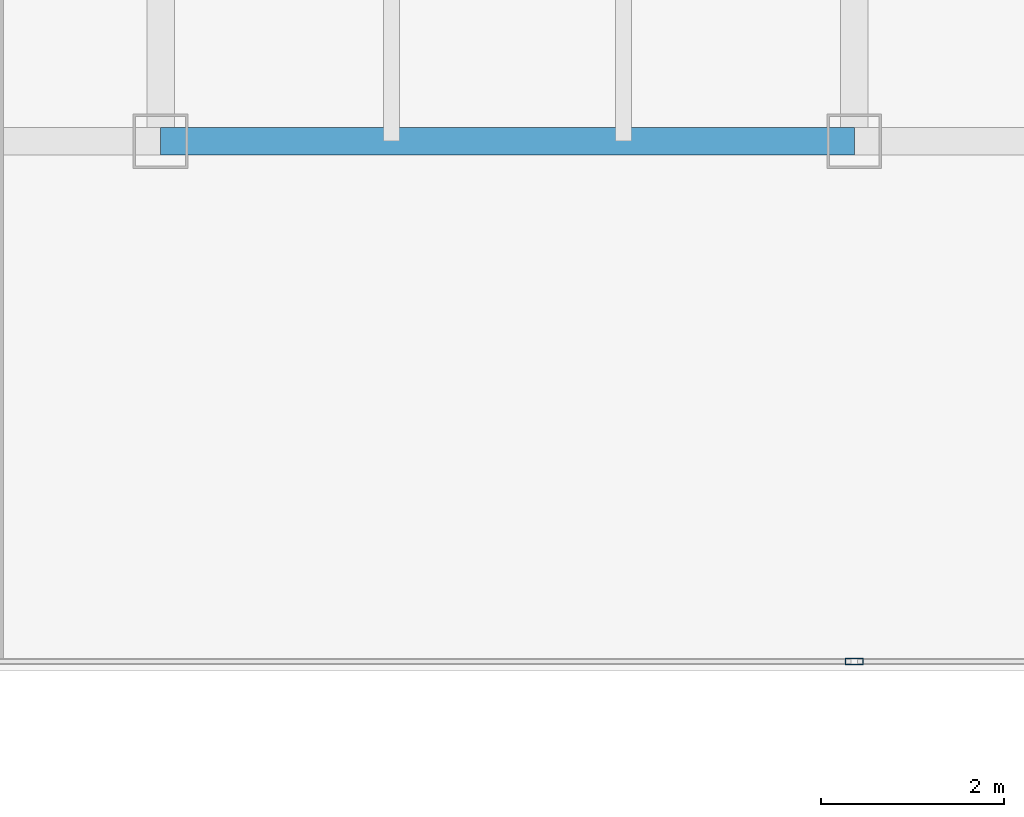
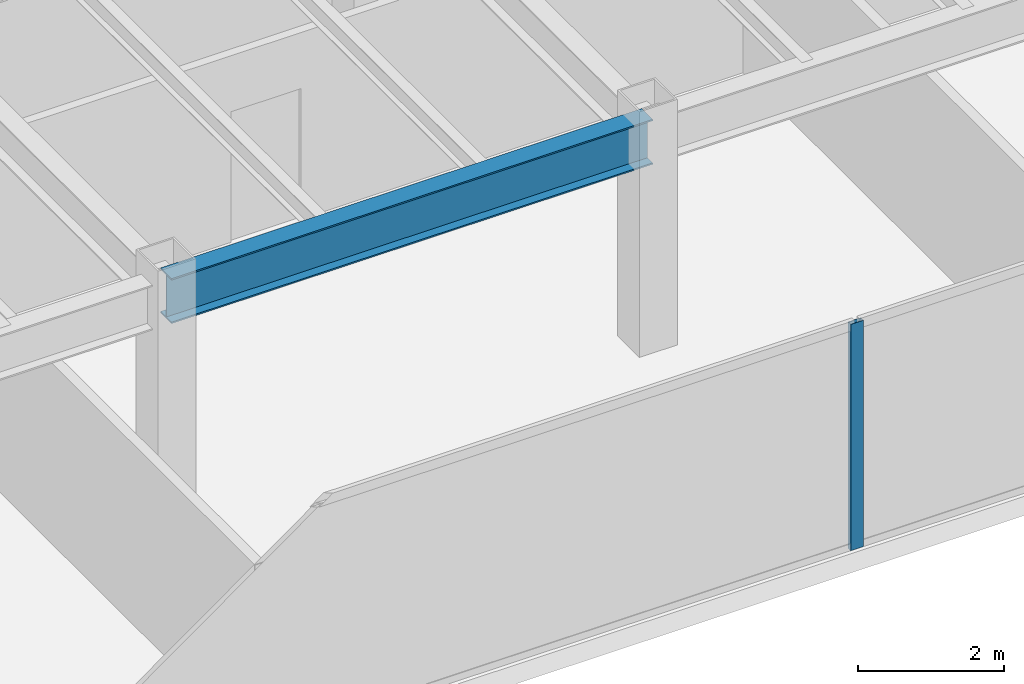
# One storey, part 8 of 35: 1 beam, 1 member, 1 element without a shape of its own.
"""IFC4 building model written with IfcOpenShell, lengths in metres."""

from ifc_helpers import new_model, si_unit, direction, frame, origin, origin_2d, place, context, subcontext, project, spatial, hollow_rectangle, i_section, extrude, source, transform, mapped, material, layer, layer_set, material_profile, profile_set, type_object, type_shapes, element, aggregate, save


model = new_model("IFC4")

# Units and contexts
model_context = context("Model", 3, precision=1e-05, world=origin(), true_north=direction((0.0, 1.0)))
body_context = subcontext(model_context, "Body", "Model", "MODEL_VIEW")
ifc_project = project(units=[si_unit("LENGTHUNIT", "METRE"), si_unit("AREAUNIT", "SQUARE_METRE"), si_unit("VOLUMEUNIT", "CUBIC_METRE"), si_unit("PLANEANGLEUNIT", "RADIAN"), si_unit("MASSUNIT", "GRAM", prefix="KILO")], contexts=[model_context])

# Site, building, storey
site_placement = place(None, origin())
site = spatial("IfcSite", under=ifc_project, at=site_placement, CompositionType="ELEMENT")
building_placement = place(site_placement, origin())
building = spatial("IfcBuilding", under=site, at=building_placement, Name="Haelvirn Gate Laboratories", CompositionType="ELEMENT")
storey_placement = place(building_placement, frame((0.0, 0.0, 82.60009765625)))
storey = spatial("IfcBuildingStorey", under=building, at=storey_placement, Name="L20", CompositionType="ELEMENT", Elevation=82.60009765625)

# Beam
ifc_material_1 = material(Name="Steel SM355", Category="steel")
ifc_material_profile_1 = material_profile(ifc_material_1, i_section(OverallWidth=0.300048828125, OverallDepth=0.75, WebThickness=0.013916015625, FlangeThickness=0.02392578125, at=origin_2d()), Name="H-750x300x14x24")
ifc_profile_set_1 = profile_set([ifc_material_profile_1], Name="Steel SM355")
beam_type = type_object("IfcBeamType", Name="BM-G-750", PredefinedType="BEAM", material=ifc_profile_set_1)
shared_shape_1 = source(origin(), body_context, "Body", "SweptSolid", [
    extrude(i_section(OverallWidth=0.300048828125, OverallDepth=0.75, WebThickness=0.013916015625, FlangeThickness=0.02392578125, at=origin_2d()), origin(), (0.0, 0.0, 1.0), 7.599853515625),
])
type_shapes(beam_type, [shared_shape_1])
beam_placement = place(storey_placement, frame((29.800048828125, 7.0, 3.40478515625), z_axis=(1.0, 0.0, 0.0), x_axis=(0.0, 1.0, 0.0)))
element("IfcBeam", 1, at=beam_placement, inside=storey, type_object=beam_type, Name="L20 Primary Girder Y7.0 (29.8-37.4)", PredefinedType="BEAM", context=body_context, shape_type="MappedRepresentation", body=[
    mapped(shared_shape_1, transform((0.0, 0.0, 0.0), scale=1.0)),
])

# Curtain wall, member
ifc_material_2 = material(Name="Anodised bronze unitised aluminium & triple low-E glass", Category="aluminium")
ifc_layer = layer(ifc_material_2, 0.18408203125, Name="CW-SYS-2")
ifc_layer_set = layer_set([ifc_layer], Name="Anodised bronze unitised aluminium & triple low-E glass")
curtain_wall_type = type_object("IfcCurtainWallType", Name="CW-SYS-2", PredefinedType="NOTDEFINED", material=ifc_layer_set)
curtain_wall_placement = place(storey_placement, origin())
curtain_wall = element("IfcCurtainWall", 2, at=curtain_wall_placement, inside=storey, type_object=curtain_wall_type, Name="L20 Unitised Curtain Wall CW-L20-P0-E02-1", PredefinedType="NOTDEFINED")
ifc_material_3 = material(Name="Extruded aluminium 6063-T6 (anodised bronze)", Category="aluminium")
ifc_material_profile_2 = material_profile(ifc_material_3, hollow_rectangle(XDim=0.074951171875, YDim=0.199951171875, WallThickness=0.0048828125, at=origin_2d()), Name="CWM-200x75x5")
ifc_profile_set_2 = profile_set([ifc_material_profile_2], Name="Extruded aluminium 6063-T6 (anodised bronze)")
member_type = type_object("IfcMemberType", Name="CWM-T200", PredefinedType="MULLION", material=ifc_profile_set_2)
shared_shape_2 = source(origin(), body_context, "Body", "SweptSolid", [
    extrude(hollow_rectangle(XDim=0.074951171875, YDim=0.199951171875, WallThickness=0.0048828125, at=origin_2d()), origin(), (0.0, 0.0, 1.0), 3.77978515625),
])
type_shapes(member_type, [shared_shape_2])
member_placement = place(storey_placement, frame((37.39990234375, 1.300048828125, 0.0), z_axis=(0.0, 0.0, 1.0), x_axis=(0.0, 1.0, 0.0)))
member = element("IfcMember", 3, at=member_placement, type_object=member_type, Name="CW2 mullion 2", PredefinedType="MULLION", context=body_context, shape_type="MappedRepresentation", body=[
    mapped(shared_shape_2, transform((0.0, 0.0, 0.0), scale=1.0)),
])
aggregate(curtain_wall, [member])

save(model, "model.ifc")
